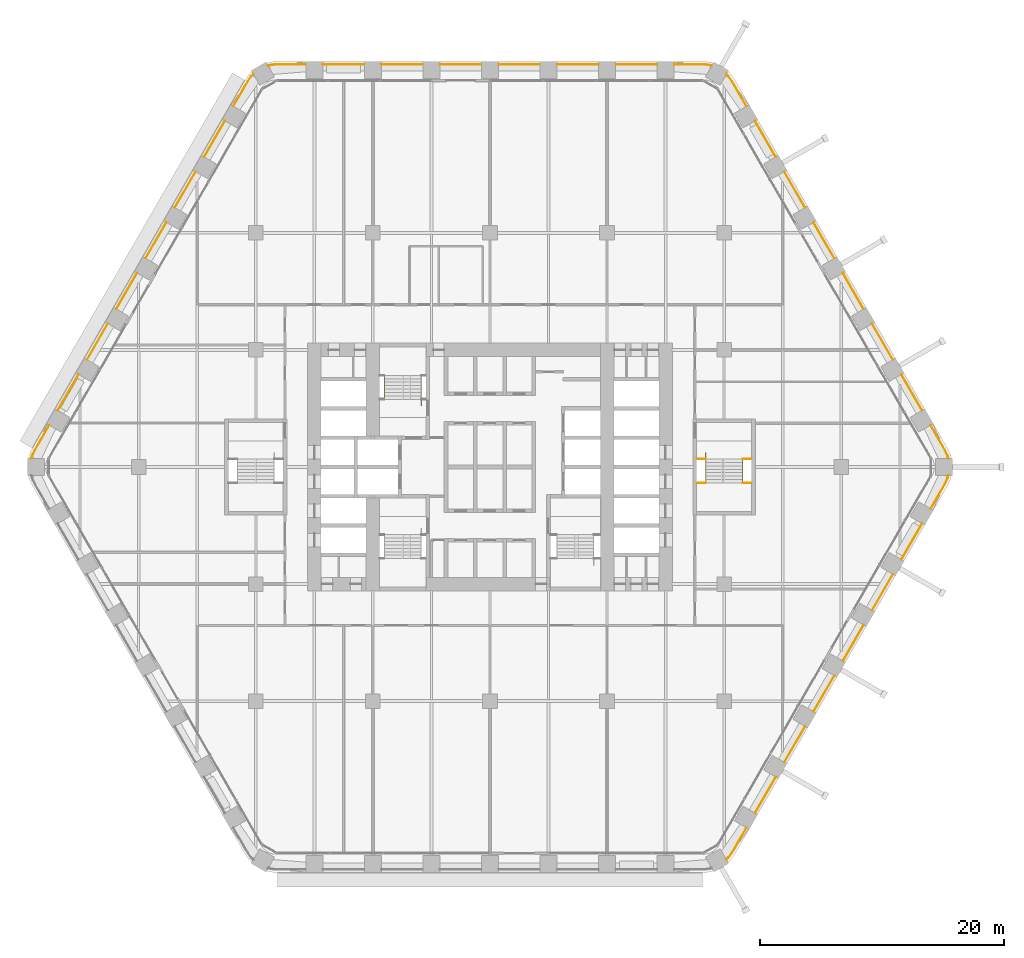
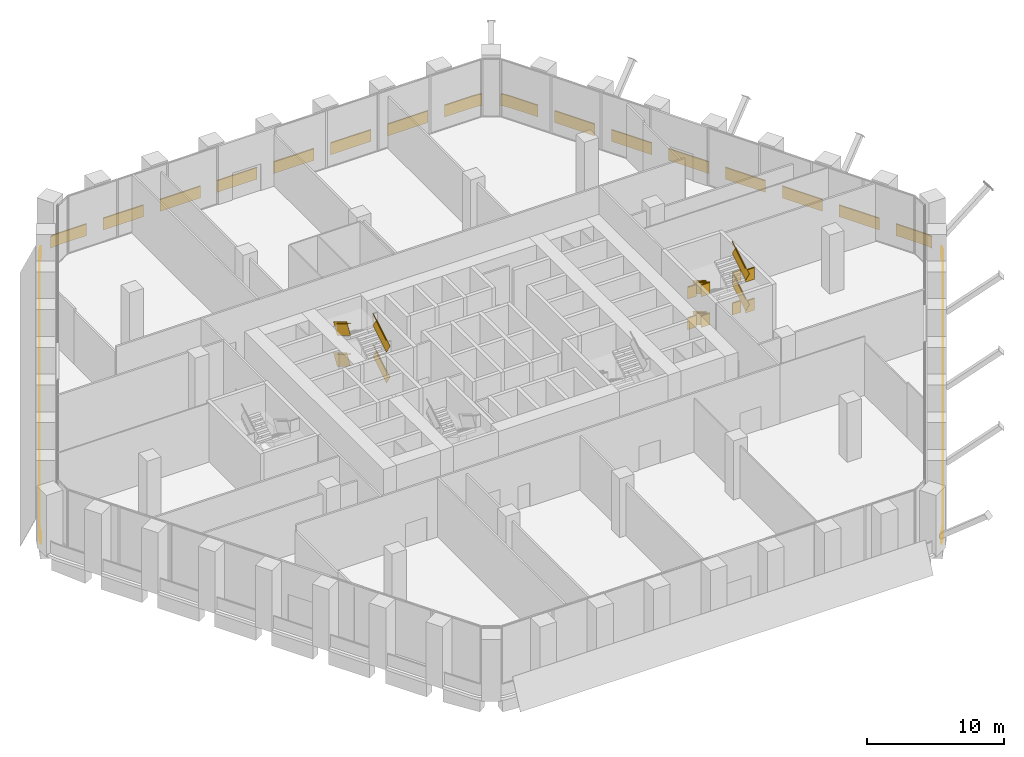
# One storey, part 29 of 29: 7 railings.
"""IFC4 building model written with IfcOpenShell, lengths in metres."""

from ifc_helpers import new_model, si_unit, direction, frame, frame_2d, origin, origin_2d, place, context, subcontext, project, spatial, rectangle, extrude, material, type_object, element, save


model = new_model("IFC4")

# Units and contexts
model_context = context("Model", 3, precision=1e-05, world=origin(), true_north=direction((0.0, 1.0)))
body_context = subcontext(model_context, "Body", "Model", "MODEL_VIEW")
ifc_project = project(units=[si_unit("LENGTHUNIT", "METRE"), si_unit("AREAUNIT", "SQUARE_METRE"), si_unit("VOLUMEUNIT", "CUBIC_METRE"), si_unit("PLANEANGLEUNIT", "RADIAN"), si_unit("MASSUNIT", "GRAM", prefix="KILO")], contexts=[model_context])

# Site, building, storey
site_placement = place(None, origin())
site = spatial("IfcSite", under=ifc_project, at=site_placement, CompositionType="ELEMENT")
building_placement = place(site_placement, origin())
building = spatial("IfcBuilding", under=site, at=building_placement, Name="Kolab Exchange Tower", CompositionType="ELEMENT")
storey_placement = place(building_placement, frame((0.0, 0.0, 55.39990234375)))
storey = spatial("IfcBuildingStorey", under=building, at=storey_placement, Name="L10", CompositionType="ELEMENT", Elevation=55.39990234375)

# Railings
ifc_material_1 = material(Name="Stainless steel 316", Category="steel")
railing_type_1 = type_object("IfcRailingType", Name="GUARD 1100", PredefinedType="GUARDRAIL", material=ifc_material_1)
railing_1_placement = place(storey_placement, frame((-5.639892578125, 5.550048828125, 0.172119140625)))
element("IfcRailing", 1, at=railing_1_placement, inside=storey, type_object=railing_type_1, Name="Handrail guard ST1", PredefinedType="GUARDRAIL", context=body_context, shape_type="SweptSolid", body=[
    extrude(rectangle(XDim=0.05, YDim=0.05, at=origin_2d()), frame((0.0, 0.0, 1.0751953125), z_axis=(0.0, 0.852288308005, 0.523072308613), x_axis=(-1.0, 0.0, 0.0)), (0.0, 0.0, 1.0), 2.299560546875),
    extrude(rectangle(XDim=0.012, YDim=1.05009765625, at=frame_2d((0.0, 0.525146484375))), frame((0.0, 0.0, 0.0), z_axis=(0.0, 0.852288308005, 0.523072308613), x_axis=(-1.0, 0.0, 0.0)), (0.0, 0.0, 1.0), 2.299560546875),
    extrude(rectangle(XDim=0.05, YDim=0.05, at=origin_2d()), frame((-3.02001953125, 1.9599609375, 2.4501953125), z_axis=(0.0, -0.852288308005, 0.523072308613), x_axis=(1.0, 0.0, 0.0)), (0.0, 0.0, 1.0), 2.299560546875),
    extrude(rectangle(XDim=0.012, YDim=1.05009765625, at=frame_2d((0.0, 0.525146484375))), frame((-3.02001953125, 1.9599609375, 1.375), z_axis=(0.0, -0.852288308005, 0.523072308613), x_axis=(1.0, 0.0, 0.0)), (0.0, 0.0, 1.0), 2.299560546875),
    extrude(rectangle(XDim=0.05, YDim=0.05, at=origin_2d()), frame((0.0, 0.0, 3.8251953125), z_axis=(0.0, 0.852288308005, 0.523072308613), x_axis=(-1.0, 0.0, 0.0)), (0.0, 0.0, 1.0), 2.299560546875),
    extrude(rectangle(XDim=0.012, YDim=1.05009765625, at=frame_2d((0.0, 0.525146484375))), frame((0.0, 0.0, 2.75), z_axis=(0.0, 0.852288308005, 0.523072308613), x_axis=(-1.0, 0.0, 0.0)), (0.0, 0.0, 1.0), 2.299560546875),
    extrude(rectangle(XDim=0.05, YDim=0.05, at=origin_2d()), frame((-3.02001953125, 1.9599609375, 5.2001953125), z_axis=(0.0, -0.852288308005, 0.523072308613), x_axis=(1.0, 0.0, 0.0)), (0.0, 0.0, 1.0), 2.299560546875),
    extrude(rectangle(XDim=0.012, YDim=1.05009765625, at=frame_2d((0.0, 0.525146484375))), frame((-3.02001953125, 1.9599609375, 4.125), z_axis=(0.0, -0.852288308005, 0.523072308613), x_axis=(1.0, 0.0, 0.0)), (0.0, 0.0, 1.0), 2.299560546875),
])
railing_2_placement = place(storey_placement, frame((16.949951171875, 0.64990234375, 0.0)))
element("IfcRailing", 2, at=railing_2_placement, inside=storey, type_object=railing_type_1, Name="Guard ST4", PredefinedType="GUARDRAIL", context=body_context, shape_type="SweptSolid", body=[
    extrude(rectangle(XDim=0.05, YDim=0.05, at=origin_2d()), frame((0.0, 0.0, 1.0751953125), z_axis=(1.0, 0.0, 0.0), x_axis=(0.0, 1.0, 0.0)), (0.0, 0.0, 1.0), 0.739990234375),
    extrude(rectangle(XDim=0.012, YDim=1.05009765625, at=frame_2d((0.0, 0.525146484375))), frame((0.0, 0.0, 0.0), z_axis=(1.0, 0.0, 0.0), x_axis=(0.0, 1.0, 0.0)), (0.0, 0.0, 1.0), 0.739990234375),
    extrude(rectangle(XDim=0.05, YDim=0.05, at=origin_2d()), frame((3.760009765625, 0.0, 1.0751953125), z_axis=(1.0, 0.0, 0.0), x_axis=(0.0, 1.0, 0.0)), (0.0, 0.0, 1.0), 0.739990234375),
    extrude(rectangle(XDim=0.012, YDim=1.05009765625, at=frame_2d((0.0, 0.525146484375))), frame((3.760009765625, 0.0, 0.0), z_axis=(1.0, 0.0, 0.0), x_axis=(0.0, 1.0, 0.0)), (0.0, 0.0, 1.0), 0.739990234375),
    extrude(rectangle(XDim=0.05, YDim=0.05, at=origin_2d()), frame((0.0, -1.9599609375, 2.4501953125), z_axis=(1.0, 0.0, 0.0), x_axis=(0.0, 1.0, 0.0)), (0.0, 0.0, 1.0), 0.739990234375),
    extrude(rectangle(XDim=0.012, YDim=1.05009765625, at=frame_2d((0.0, 0.525146484375))), frame((0.0, -1.9599609375, 1.375), z_axis=(1.0, 0.0, 0.0), x_axis=(0.0, 1.0, 0.0)), (0.0, 0.0, 1.0), 0.739990234375),
    extrude(rectangle(XDim=0.05, YDim=0.05, at=origin_2d()), frame((3.760009765625, -1.9599609375, 2.4501953125), z_axis=(1.0, 0.0, 0.0), x_axis=(0.0, 1.0, 0.0)), (0.0, 0.0, 1.0), 0.739990234375),
    extrude(rectangle(XDim=0.012, YDim=1.05009765625, at=frame_2d((0.0, 0.525146484375))), frame((3.760009765625, -1.9599609375, 1.375), z_axis=(1.0, 0.0, 0.0), x_axis=(0.0, 1.0, 0.0)), (0.0, 0.0, 1.0), 0.739990234375),
    extrude(rectangle(XDim=0.05, YDim=0.05, at=origin_2d()), frame((0.0, 0.0, 3.8251953125), z_axis=(1.0, 0.0, 0.0), x_axis=(0.0, 1.0, 0.0)), (0.0, 0.0, 1.0), 0.739990234375),
    extrude(rectangle(XDim=0.012, YDim=1.05009765625, at=frame_2d((0.0, 0.525146484375))), frame((0.0, 0.0, 2.75), z_axis=(1.0, 0.0, 0.0), x_axis=(0.0, 1.0, 0.0)), (0.0, 0.0, 1.0), 0.739990234375),
    extrude(rectangle(XDim=0.05, YDim=0.05, at=origin_2d()), frame((3.760009765625, 0.0, 3.8251953125), z_axis=(1.0, 0.0, 0.0), x_axis=(0.0, 1.0, 0.0)), (0.0, 0.0, 1.0), 0.739990234375),
    extrude(rectangle(XDim=0.012, YDim=1.05009765625, at=frame_2d((0.0, 0.525146484375))), frame((3.760009765625, 0.0, 2.75), z_axis=(1.0, 0.0, 0.0), x_axis=(0.0, 1.0, 0.0)), (0.0, 0.0, 1.0), 0.739990234375),
    extrude(rectangle(XDim=0.05, YDim=0.05, at=origin_2d()), frame((0.0, -1.9599609375, 5.2001953125), z_axis=(1.0, 0.0, 0.0), x_axis=(0.0, 1.0, 0.0)), (0.0, 0.0, 1.0), 0.739990234375),
    extrude(rectangle(XDim=0.012, YDim=1.05009765625, at=frame_2d((0.0, 0.525146484375))), frame((0.0, -1.9599609375, 4.125), z_axis=(1.0, 0.0, 0.0), x_axis=(0.0, 1.0, 0.0)), (0.0, 0.0, 1.0), 0.739990234375),
    extrude(rectangle(XDim=0.05, YDim=0.05, at=origin_2d()), frame((3.760009765625, -1.9599609375, 5.2001953125), z_axis=(1.0, 0.0, 0.0), x_axis=(0.0, 1.0, 0.0)), (0.0, 0.0, 1.0), 0.739990234375),
    extrude(rectangle(XDim=0.012, YDim=1.05009765625, at=frame_2d((0.0, 0.525146484375))), frame((3.760009765625, -1.9599609375, 4.125), z_axis=(1.0, 0.0, 0.0), x_axis=(0.0, 1.0, 0.0)), (0.0, 0.0, 1.0), 0.739990234375),
])
railing_3_placement = place(storey_placement, frame((17.68994140625, 0.64990234375, 0.172119140625)))
element("IfcRailing", 3, at=railing_3_placement, inside=storey, type_object=railing_type_1, Name="Handrail guard ST4", PredefinedType="GUARDRAIL", context=body_context, shape_type="SweptSolid", body=[
    extrude(rectangle(XDim=0.05, YDim=0.05, at=origin_2d()), frame((0.0, 0.0, 1.0751953125), z_axis=(0.0, -0.852288308005, 0.523072308613), x_axis=(1.0, 0.0, 0.0)), (0.0, 0.0, 1.0), 2.299560546875),
    extrude(rectangle(XDim=0.012, YDim=1.05009765625, at=frame_2d((0.0, 0.525146484375))), frame((0.0, 0.0, 0.0), z_axis=(0.0, -0.852288308005, 0.523072308613), x_axis=(1.0, 0.0, 0.0)), (0.0, 0.0, 1.0), 2.299560546875),
    extrude(rectangle(XDim=0.05, YDim=0.05, at=origin_2d()), frame((3.02001953125, -1.9599609375, 2.4501953125), z_axis=(0.0, 0.852288308005, 0.523072308613), x_axis=(-1.0, 0.0, 0.0)), (0.0, 0.0, 1.0), 2.299560546875),
    extrude(rectangle(XDim=0.012, YDim=1.05009765625, at=frame_2d((0.0, 0.525146484375))), frame((3.02001953125, -1.9599609375, 1.375), z_axis=(0.0, 0.852288308005, 0.523072308613), x_axis=(-1.0, 0.0, 0.0)), (0.0, 0.0, 1.0), 2.299560546875),
    extrude(rectangle(XDim=0.05, YDim=0.05, at=origin_2d()), frame((0.0, 0.0, 3.8251953125), z_axis=(0.0, -0.852288308005, 0.523072308613), x_axis=(1.0, 0.0, 0.0)), (0.0, 0.0, 1.0), 2.299560546875),
    extrude(rectangle(XDim=0.012, YDim=1.05009765625, at=frame_2d((0.0, 0.525146484375))), frame((0.0, 0.0, 2.75), z_axis=(0.0, -0.852288308005, 0.523072308613), x_axis=(1.0, 0.0, 0.0)), (0.0, 0.0, 1.0), 2.299560546875),
    extrude(rectangle(XDim=0.05, YDim=0.05, at=origin_2d()), frame((3.02001953125, -1.9599609375, 5.2001953125), z_axis=(0.0, 0.852288308005, 0.523072308613), x_axis=(-1.0, 0.0, 0.0)), (0.0, 0.0, 1.0), 2.299560546875),
    extrude(rectangle(XDim=0.012, YDim=1.05009765625, at=frame_2d((0.0, 0.525146484375))), frame((3.02001953125, -1.9599609375, 4.125), z_axis=(0.0, 0.852288308005, 0.523072308613), x_axis=(-1.0, 0.0, 0.0)), (0.0, 0.0, 1.0), 2.299560546875),
])
ifc_material_2 = material(Name="Steel S235", Category="steel")
railing_type_2 = type_object("IfcRailingType", Name="GUARD 1100 GLASS BALUSTRADE AND STEEL TOP RAIL", PredefinedType="GUARDRAIL", material=ifc_material_2)
railing_4_placement = place(storey_placement, frame((18.1953125, 32.896728515625, 0.0)))
element("IfcRailing", 4, at=railing_4_placement, inside=storey, type_object=railing_type_2, Name="Guard", PredefinedType="GUARDRAIL", context=body_context, shape_type="SweptSolid", body=[
    extrude(rectangle(XDim=0.05, YDim=0.05, at=origin_2d()), frame((0.0, 0.0, 1.0751953125), z_axis=(-0.965952265455, 0.258720352624, 0.0), x_axis=(-0.258720352624, -0.965952265455, 0.0)), (0.0, 0.0, 1.0), 0.258544921875),
    extrude(rectangle(XDim=0.012, YDim=1.05009765625, at=frame_2d((0.0, 0.525146484375))), frame((0.0, 0.0, 0.0), z_axis=(-0.965952265455, 0.258720352624, 0.0), x_axis=(-0.258720352624, -0.965952265455, 0.0)), (0.0, 0.0, 1.0), 0.258544921875),
    extrude(rectangle(XDim=0.05, YDim=0.05, at=origin_2d()), frame((-0.249755859375, 0.06689453125, 1.0751953125), z_axis=(-0.996200348447, 0.087091134757, 0.0), x_axis=(-0.087091134757, -0.996200348447, 0.0)), (0.0, 0.0, 1.0), 0.479248046875),
    extrude(rectangle(XDim=0.012, YDim=1.05009765625, at=frame_2d((0.0, 0.525146484375))), frame((-0.249755859375, 0.06689453125, 0.0), z_axis=(-0.996200348447, 0.087091134757, 0.0), x_axis=(-0.087091134757, -0.996200348447, 0.0)), (0.0, 0.0, 1.0), 0.479248046875),
    extrude(rectangle(XDim=0.05, YDim=0.05, at=origin_2d()), frame((-0.727294921875, 0.108642578125, 1.0751953125), z_axis=(-1.0, 0.0, 0.0), x_axis=(0.0, -1.0, 0.0)), (0.0, 0.0, 1.0), 2.367919921875),
    extrude(rectangle(XDim=0.012, YDim=1.05009765625, at=frame_2d((0.0, 0.525146484375))), frame((-0.727294921875, 0.108642578125, 0.0), z_axis=(-1.0, 0.0, 0.0), x_axis=(0.0, -1.0, 0.0)), (0.0, 0.0, 1.0), 2.367919921875),
    extrude(rectangle(XDim=0.05, YDim=0.05, at=origin_2d()), frame((-4.495361328125, 0.108642578125, 1.0751953125), z_axis=(-1.0, 0.0, 0.0), x_axis=(0.0, -1.0, 0.0)), (0.0, 0.0, 1.0), 3.39990234375),
    extrude(rectangle(XDim=0.012, YDim=1.05009765625, at=frame_2d((0.0, 0.525146484375))), frame((-4.495361328125, 0.108642578125, 0.0), z_axis=(-1.0, 0.0, 0.0), x_axis=(0.0, -1.0, 0.0)), (0.0, 0.0, 1.0), 3.39990234375),
    extrude(rectangle(XDim=0.05, YDim=0.05, at=origin_2d()), frame((-9.29541015625, 0.108642578125, 1.0751953125), z_axis=(-1.0, 0.0, 0.0), x_axis=(0.0, -1.0, 0.0)), (0.0, 0.0, 1.0), 3.39990234375),
    extrude(rectangle(XDim=0.012, YDim=1.05009765625, at=frame_2d((0.0, 0.525146484375))), frame((-9.29541015625, 0.108642578125, 0.0), z_axis=(-1.0, 0.0, 0.0), x_axis=(0.0, -1.0, 0.0)), (0.0, 0.0, 1.0), 3.39990234375),
    extrude(rectangle(XDim=0.05, YDim=0.05, at=origin_2d()), frame((-14.09521484375, 0.108642578125, 1.0751953125), z_axis=(-1.0, 0.0, 0.0), x_axis=(0.0, -1.0, 0.0)), (0.0, 0.0, 1.0), 3.400146484375),
    extrude(rectangle(XDim=0.012, YDim=1.05009765625, at=frame_2d((0.0, 0.525146484375))), frame((-14.09521484375, 0.108642578125, 0.0), z_axis=(-1.0, 0.0, 0.0), x_axis=(0.0, -1.0, 0.0)), (0.0, 0.0, 1.0), 3.400146484375),
    extrude(rectangle(XDim=0.05, YDim=0.05, at=origin_2d()), frame((-18.895263671875, 0.108642578125, 1.0751953125), z_axis=(-1.0, 0.0, 0.0), x_axis=(0.0, -1.0, 0.0)), (0.0, 0.0, 1.0), 3.400146484375),
    extrude(rectangle(XDim=0.012, YDim=1.05009765625, at=frame_2d((0.0, 0.525146484375))), frame((-18.895263671875, 0.108642578125, 0.0), z_axis=(-1.0, 0.0, 0.0), x_axis=(0.0, -1.0, 0.0)), (0.0, 0.0, 1.0), 3.400146484375),
    extrude(rectangle(XDim=0.05, YDim=0.05, at=origin_2d()), frame((-23.6953125, 0.108642578125, 1.0751953125), z_axis=(-1.0, 0.0, 0.0), x_axis=(0.0, -1.0, 0.0)), (0.0, 0.0, 1.0), 3.39990234375),
    extrude(rectangle(XDim=0.012, YDim=1.05009765625, at=frame_2d((0.0, 0.525146484375))), frame((-23.6953125, 0.108642578125, 0.0), z_axis=(-1.0, 0.0, 0.0), x_axis=(0.0, -1.0, 0.0)), (0.0, 0.0, 1.0), 3.39990234375),
    extrude(rectangle(XDim=0.05, YDim=0.05, at=origin_2d()), frame((-28.495361328125, 0.108642578125, 1.0751953125), z_axis=(-1.0, 0.0, 0.0), x_axis=(0.0, -1.0, 0.0)), (0.0, 0.0, 1.0), 3.39990234375),
    extrude(rectangle(XDim=0.012, YDim=1.05009765625, at=frame_2d((0.0, 0.525146484375))), frame((-28.495361328125, 0.108642578125, 0.0), z_axis=(-1.0, 0.0, 0.0), x_axis=(0.0, -1.0, 0.0)), (0.0, 0.0, 1.0), 3.39990234375),
    extrude(rectangle(XDim=0.05, YDim=0.05, at=origin_2d()), frame((-33.29541015625, 0.108642578125, 1.0751953125), z_axis=(-1.0, 0.0, 0.0), x_axis=(0.0, -1.0, 0.0)), (0.0, 0.0, 1.0), 2.367919921875),
    extrude(rectangle(XDim=0.012, YDim=1.05009765625, at=frame_2d((0.0, 0.525146484375))), frame((-33.29541015625, 0.108642578125, 0.0), z_axis=(-1.0, 0.0, 0.0), x_axis=(0.0, -1.0, 0.0)), (0.0, 0.0, 1.0), 2.367919921875),
    extrude(rectangle(XDim=0.05, YDim=0.05, at=origin_2d()), frame((-35.663330078125, 0.108642578125, 1.0751953125), z_axis=(-0.996200348447, -0.087091134757, 0.0), x_axis=(0.087091134757, -0.996200348447, 0.0)), (0.0, 0.0, 1.0), 0.479248046875),
    extrude(rectangle(XDim=0.012, YDim=1.05009765625, at=frame_2d((0.0, 0.525146484375))), frame((-35.663330078125, 0.108642578125, 0.0), z_axis=(-0.996200348447, -0.087091134757, 0.0), x_axis=(0.087091134757, -0.996200348447, 0.0)), (0.0, 0.0, 1.0), 0.479248046875),
    extrude(rectangle(XDim=0.05, YDim=0.05, at=origin_2d()), frame((-36.140869140625, 0.06689453125, 1.0751953125), z_axis=(-0.965952265455, -0.258720352624, 0.0), x_axis=(0.258720352624, -0.965952265455, 0.0)), (0.0, 0.0, 1.0), 0.258544921875),
    extrude(rectangle(XDim=0.012, YDim=1.05009765625, at=frame_2d((0.0, 0.525146484375))), frame((-36.140869140625, 0.06689453125, 0.0), z_axis=(-0.965952265455, -0.258720352624, 0.0), x_axis=(0.258720352624, -0.965952265455, 0.0)), (0.0, 0.0, 1.0), 0.258544921875),
])
railing_5_placement = place(storey_placement, frame((37.5869140625, 0.690673828125, 0.0)))
element("IfcRailing", 5, at=railing_5_placement, inside=storey, type_object=railing_type_2, Name="Guard", PredefinedType="GUARDRAIL", context=body_context, shape_type="SweptSolid", body=[
    extrude(rectangle(XDim=0.05, YDim=0.05, at=origin_2d()), frame((0.0, 0.0, 1.0751953125), z_axis=(-0.258484584798, 0.966015382601, 0.0), x_axis=(-0.966015382601, -0.258484584798, 0.0)), (0.0, 0.0, 1.0), 0.2587890625),
    extrude(rectangle(XDim=0.012, YDim=1.05009765625, at=frame_2d((0.0, 0.525146484375))), frame((0.0, 0.0, 0.0), z_axis=(-0.258484584798, 0.966015382601, 0.0), x_axis=(-0.966015382601, -0.258484584798, 0.0)), (0.0, 0.0, 1.0), 0.2587890625),
    extrude(rectangle(XDim=0.05, YDim=0.05, at=origin_2d()), frame((-0.06689453125, 0.25, 1.0751953125), z_axis=(-0.422801802984, 0.906222177721, 0.0), x_axis=(-0.906222177721, -0.422801802984, 0.0)), (0.0, 0.0, 1.0), 0.479248046875),
    extrude(rectangle(XDim=0.012, YDim=1.05009765625, at=frame_2d((0.0, 0.525146484375))), frame((-0.06689453125, 0.25, 0.0), z_axis=(-0.422801802984, 0.906222177721, 0.0), x_axis=(-0.906222177721, -0.422801802984, 0.0)), (0.0, 0.0, 1.0), 0.479248046875),
    extrude(rectangle(XDim=0.05, YDim=0.05, at=origin_2d()), frame((-0.26953125, 0.684326171875, 1.0751953125), z_axis=(-0.499942602326, 0.866058539811, 0.0), x_axis=(-0.866058539811, -0.499942602326, 0.0)), (0.0, 0.0, 1.0), 2.367919921875),
    extrude(rectangle(XDim=0.012, YDim=1.05009765625, at=frame_2d((0.0, 0.525146484375))), frame((-0.26953125, 0.684326171875, 0.0), z_axis=(-0.499942602326, 0.866058539811, 0.0), x_axis=(-0.866058539811, -0.499942602326, 0.0)), (0.0, 0.0, 1.0), 2.367919921875),
    extrude(rectangle(XDim=0.05, YDim=0.05, at=origin_2d()), frame((-2.1533203125, 3.947509765625, 1.0751953125), z_axis=(-0.500062241894, 0.865989465428, 0.0), x_axis=(-0.865989465428, -0.500062241894, 0.0)), (0.0, 0.0, 1.0), 3.39990234375),
    extrude(rectangle(XDim=0.012, YDim=1.05009765625, at=frame_2d((0.0, 0.525146484375))), frame((-2.1533203125, 3.947509765625, 0.0), z_axis=(-0.500062241894, 0.865989465428, 0.0), x_axis=(-0.865989465428, -0.500062241894, 0.0)), (0.0, 0.0, 1.0), 3.39990234375),
    extrude(rectangle(XDim=0.05, YDim=0.05, at=origin_2d()), frame((-4.553466796875, 8.1044921875, 1.0751953125), z_axis=(-0.500008388397, 0.866020560687, 0.0), x_axis=(-0.866020560687, -0.500008388397, 0.0)), (0.0, 0.0, 1.0), 3.39990234375),
    extrude(rectangle(XDim=0.012, YDim=1.05009765625, at=frame_2d((0.0, 0.525146484375))), frame((-4.553466796875, 8.1044921875, 0.0), z_axis=(-0.500008388397, 0.866020560687, 0.0), x_axis=(-0.866020560687, -0.500008388397, 0.0)), (0.0, 0.0, 1.0), 3.39990234375),
    extrude(rectangle(XDim=0.05, YDim=0.05, at=origin_2d()), frame((-6.953369140625, 12.26123046875, 1.0751953125), z_axis=(-0.499977295307, 0.866038511948, 0.0), x_axis=(-0.866038511948, -0.499977295307, 0.0)), (0.0, 0.0, 1.0), 3.400146484375),
    extrude(rectangle(XDim=0.012, YDim=1.05009765625, at=frame_2d((0.0, 0.525146484375))), frame((-6.953369140625, 12.26123046875, 0.0), z_axis=(-0.499977295307, 0.866038511948, 0.0), x_axis=(-0.866038511948, -0.499977295307, 0.0)), (0.0, 0.0, 1.0), 3.400146484375),
    extrude(rectangle(XDim=0.05, YDim=0.05, at=origin_2d()), frame((-9.353515625, 16.418212890625, 1.0751953125), z_axis=(-0.499977295307, 0.866038511948, 0.0), x_axis=(-0.866038511948, -0.499977295307, 0.0)), (0.0, 0.0, 1.0), 3.400146484375),
    extrude(rectangle(XDim=0.012, YDim=1.05009765625, at=frame_2d((0.0, 0.525146484375))), frame((-9.353515625, 16.418212890625, 0.0), z_axis=(-0.499977295307, 0.866038511948, 0.0), x_axis=(-0.866038511948, -0.499977295307, 0.0)), (0.0, 0.0, 1.0), 3.400146484375),
    extrude(rectangle(XDim=0.05, YDim=0.05, at=origin_2d()), frame((-11.75341796875, 20.5751953125, 1.0751953125), z_axis=(-0.500008388397, 0.866020560687, 0.0), x_axis=(-0.866020560687, -0.500008388397, 0.0)), (0.0, 0.0, 1.0), 3.39990234375),
    extrude(rectangle(XDim=0.012, YDim=1.05009765625, at=frame_2d((0.0, 0.525146484375))), frame((-11.75341796875, 20.5751953125, 0.0), z_axis=(-0.500008388397, 0.866020560687, 0.0), x_axis=(-0.866020560687, -0.500008388397, 0.0)), (0.0, 0.0, 1.0), 3.39990234375),
    extrude(rectangle(XDim=0.05, YDim=0.05, at=origin_2d()), frame((-14.1533203125, 24.732177734375, 1.0751953125), z_axis=(-0.500062241894, 0.865989465428, 0.0), x_axis=(-0.865989465428, -0.500062241894, 0.0)), (0.0, 0.0, 1.0), 3.39990234375),
    extrude(rectangle(XDim=0.012, YDim=1.05009765625, at=frame_2d((0.0, 0.525146484375))), frame((-14.1533203125, 24.732177734375, 0.0), z_axis=(-0.500062241894, 0.865989465428, 0.0), x_axis=(-0.865989465428, -0.500062241894, 0.0)), (0.0, 0.0, 1.0), 3.39990234375),
    extrude(rectangle(XDim=0.05, YDim=0.05, at=origin_2d()), frame((-16.553466796875, 28.888916015625, 1.0751953125), z_axis=(-0.499942602326, 0.866058539811, 0.0), x_axis=(-0.866058539811, -0.499942602326, 0.0)), (0.0, 0.0, 1.0), 2.367919921875),
    extrude(rectangle(XDim=0.012, YDim=1.05009765625, at=frame_2d((0.0, 0.525146484375))), frame((-16.553466796875, 28.888916015625, 0.0), z_axis=(-0.499942602326, 0.866058539811, 0.0), x_axis=(-0.866058539811, -0.499942602326, 0.0)), (0.0, 0.0, 1.0), 2.367919921875),
    extrude(rectangle(XDim=0.05, YDim=0.05, at=origin_2d()), frame((-17.7373046875, 30.939697265625, 1.0751953125), z_axis=(-0.573940749815, 0.818896828485, 0.0), x_axis=(-0.818896828485, -0.573940749815, 0.0)), (0.0, 0.0, 1.0), 0.4794921875),
    extrude(rectangle(XDim=0.012, YDim=1.05009765625, at=frame_2d((0.0, 0.525146484375))), frame((-17.7373046875, 30.939697265625, 0.0), z_axis=(-0.573940749815, 0.818896828485, 0.0), x_axis=(-0.818896828485, -0.573940749815, 0.0)), (0.0, 0.0, 1.0), 0.4794921875),
    extrude(rectangle(XDim=0.05, YDim=0.05, at=origin_2d()), frame((-18.012451171875, 31.332275390625, 1.0751953125), z_axis=(-0.706634904947, 0.707578342737, 0.0), x_axis=(-0.707578342737, -0.706634904947, 0.0)), (0.0, 0.0, 1.0), 0.2587890625),
    extrude(rectangle(XDim=0.012, YDim=1.05009765625, at=frame_2d((0.0, 0.525146484375))), frame((-18.012451171875, 31.332275390625, 0.0), z_axis=(-0.706634904947, 0.707578342737, 0.0), x_axis=(-0.707578342737, -0.706634904947, 0.0)), (0.0, 0.0, 1.0), 0.2587890625),
])
railing_6_placement = place(storey_placement, frame((19.3916015625, -32.2060546875, 0.0)))
element("IfcRailing", 6, at=railing_6_placement, inside=storey, type_object=railing_type_2, Name="Guard", PredefinedType="GUARDRAIL", context=body_context, shape_type="SweptSolid", body=[
    extrude(rectangle(XDim=0.05, YDim=0.05, at=origin_2d()), frame((0.0, 0.0, 1.0751953125), z_axis=(0.706634904947, 0.707578342737, 0.0), x_axis=(-0.707578342737, 0.706634904947, 0.0)), (0.0, 0.0, 1.0), 0.2587890625),
    extrude(rectangle(XDim=0.012, YDim=1.05009765625, at=frame_2d((0.0, 0.525146484375))), frame((0.0, 0.0, 0.0), z_axis=(0.706634904947, 0.707578342737, 0.0), x_axis=(-0.707578342737, 0.706634904947, 0.0)), (0.0, 0.0, 1.0), 0.2587890625),
    extrude(rectangle(XDim=0.05, YDim=0.05, at=origin_2d()), frame((0.182861328125, 0.18310546875, 1.0751953125), z_axis=(0.573940749815, 0.818896828485, 0.0), x_axis=(-0.818896828485, 0.573940749815, 0.0)), (0.0, 0.0, 1.0), 0.4794921875),
    extrude(rectangle(XDim=0.012, YDim=1.05009765625, at=frame_2d((0.0, 0.525146484375))), frame((0.182861328125, 0.18310546875, 0.0), z_axis=(0.573940749815, 0.818896828485, 0.0), x_axis=(-0.818896828485, 0.573940749815, 0.0)), (0.0, 0.0, 1.0), 0.4794921875),
    extrude(rectangle(XDim=0.05, YDim=0.05, at=origin_2d()), frame((0.4580078125, 0.57568359375, 1.0751953125), z_axis=(0.499942602326, 0.866058539811, 0.0), x_axis=(-0.866058539811, 0.499942602326, 0.0)), (0.0, 0.0, 1.0), 2.367919921875),
    extrude(rectangle(XDim=0.012, YDim=1.05009765625, at=frame_2d((0.0, 0.525146484375))), frame((0.4580078125, 0.57568359375, 0.0), z_axis=(0.499942602326, 0.866058539811, 0.0), x_axis=(-0.866058539811, 0.499942602326, 0.0)), (0.0, 0.0, 1.0), 2.367919921875),
    extrude(rectangle(XDim=0.05, YDim=0.05, at=origin_2d()), frame((2.341796875, 3.8388671875, 1.0751953125), z_axis=(0.500062241894, 0.865989465428, 0.0), x_axis=(-0.865989465428, 0.500062241894, 0.0)), (0.0, 0.0, 1.0), 3.39990234375),
    extrude(rectangle(XDim=0.012, YDim=1.05009765625, at=frame_2d((0.0, 0.525146484375))), frame((2.341796875, 3.8388671875, 0.0), z_axis=(0.500062241894, 0.865989465428, 0.0), x_axis=(-0.865989465428, 0.500062241894, 0.0)), (0.0, 0.0, 1.0), 3.39990234375),
    extrude(rectangle(XDim=0.05, YDim=0.05, at=origin_2d()), frame((4.741943359375, 7.995849609375, 1.0751953125), z_axis=(0.500008388397, 0.866020560687, 0.0), x_axis=(-0.866020560687, 0.500008388397, 0.0)), (0.0, 0.0, 1.0), 3.39990234375),
    extrude(rectangle(XDim=0.012, YDim=1.05009765625, at=frame_2d((0.0, 0.525146484375))), frame((4.741943359375, 7.995849609375, 0.0), z_axis=(0.500008388397, 0.866020560687, 0.0), x_axis=(-0.866020560687, 0.500008388397, 0.0)), (0.0, 0.0, 1.0), 3.39990234375),
    extrude(rectangle(XDim=0.05, YDim=0.05, at=origin_2d()), frame((7.141845703125, 12.152587890625, 1.0751953125), z_axis=(0.499977295307, 0.866038511948, 0.0), x_axis=(-0.866038511948, 0.499977295307, 0.0)), (0.0, 0.0, 1.0), 3.400146484375),
    extrude(rectangle(XDim=0.012, YDim=1.05009765625, at=frame_2d((0.0, 0.525146484375))), frame((7.141845703125, 12.152587890625, 0.0), z_axis=(0.499977295307, 0.866038511948, 0.0), x_axis=(-0.866038511948, 0.499977295307, 0.0)), (0.0, 0.0, 1.0), 3.400146484375),
    extrude(rectangle(XDim=0.05, YDim=0.05, at=origin_2d()), frame((9.5419921875, 16.3095703125, 1.0751953125), z_axis=(0.499977295307, 0.866038511948, 0.0), x_axis=(-0.866038511948, 0.499977295307, 0.0)), (0.0, 0.0, 1.0), 3.400146484375),
    extrude(rectangle(XDim=0.012, YDim=1.05009765625, at=frame_2d((0.0, 0.525146484375))), frame((9.5419921875, 16.3095703125, 0.0), z_axis=(0.499977295307, 0.866038511948, 0.0), x_axis=(-0.866038511948, 0.499977295307, 0.0)), (0.0, 0.0, 1.0), 3.400146484375),
    extrude(rectangle(XDim=0.05, YDim=0.05, at=origin_2d()), frame((11.94189453125, 20.466552734375, 1.0751953125), z_axis=(0.500008388397, 0.866020560687, 0.0), x_axis=(-0.866020560687, 0.500008388397, 0.0)), (0.0, 0.0, 1.0), 3.39990234375),
    extrude(rectangle(XDim=0.012, YDim=1.05009765625, at=frame_2d((0.0, 0.525146484375))), frame((11.94189453125, 20.466552734375, 0.0), z_axis=(0.500008388397, 0.866020560687, 0.0), x_axis=(-0.866020560687, 0.500008388397, 0.0)), (0.0, 0.0, 1.0), 3.39990234375),
    extrude(rectangle(XDim=0.05, YDim=0.05, at=origin_2d()), frame((14.341796875, 24.62353515625, 1.0751953125), z_axis=(0.500062241894, 0.865989465428, 0.0), x_axis=(-0.865989465428, 0.500062241894, 0.0)), (0.0, 0.0, 1.0), 3.39990234375),
    extrude(rectangle(XDim=0.012, YDim=1.05009765625, at=frame_2d((0.0, 0.525146484375))), frame((14.341796875, 24.62353515625, 0.0), z_axis=(0.500062241894, 0.865989465428, 0.0), x_axis=(-0.865989465428, 0.500062241894, 0.0)), (0.0, 0.0, 1.0), 3.39990234375),
    extrude(rectangle(XDim=0.05, YDim=0.05, at=origin_2d()), frame((16.741943359375, 28.7802734375, 1.0751953125), z_axis=(0.499942602326, 0.866058539811, 0.0), x_axis=(-0.866058539811, 0.499942602326, 0.0)), (0.0, 0.0, 1.0), 2.367919921875),
    extrude(rectangle(XDim=0.012, YDim=1.05009765625, at=frame_2d((0.0, 0.525146484375))), frame((16.741943359375, 28.7802734375, 0.0), z_axis=(0.499942602326, 0.866058539811, 0.0), x_axis=(-0.866058539811, 0.499942602326, 0.0)), (0.0, 0.0, 1.0), 2.367919921875),
    extrude(rectangle(XDim=0.05, YDim=0.05, at=origin_2d()), frame((17.92578125, 30.8310546875, 1.0751953125), z_axis=(0.422801802984, 0.906222177721, 0.0), x_axis=(-0.906222177721, 0.422801802984, 0.0)), (0.0, 0.0, 1.0), 0.479248046875),
    extrude(rectangle(XDim=0.012, YDim=1.05009765625, at=frame_2d((0.0, 0.525146484375))), frame((17.92578125, 30.8310546875, 0.0), z_axis=(0.422801802984, 0.906222177721, 0.0), x_axis=(-0.906222177721, 0.422801802984, 0.0)), (0.0, 0.0, 1.0), 0.479248046875),
    extrude(rectangle(XDim=0.05, YDim=0.05, at=origin_2d()), frame((18.12841796875, 31.265380859375, 1.0751953125), z_axis=(0.258484584798, 0.966015382601, 0.0), x_axis=(-0.966015382601, 0.258484584798, 0.0)), (0.0, 0.0, 1.0), 0.2587890625),
    extrude(rectangle(XDim=0.012, YDim=1.05009765625, at=frame_2d((0.0, 0.525146484375))), frame((18.12841796875, 31.265380859375, 0.0), z_axis=(0.258484584798, 0.966015382601, 0.0), x_axis=(-0.966015382601, 0.258484584798, 0.0)), (0.0, 0.0, 1.0), 0.2587890625),
])
railing_7_placement = place(storey_placement, frame((-19.3916015625, 32.2060546875, 0.0)))
element("IfcRailing", 7, at=railing_7_placement, inside=storey, type_object=railing_type_2, Name="Guard", PredefinedType="GUARDRAIL", context=body_context, shape_type="SweptSolid", body=[
    extrude(rectangle(XDim=0.05, YDim=0.05, at=origin_2d()), frame((0.0, 0.0, 1.0751953125), z_axis=(-0.706634904947, -0.707578342737, 0.0), x_axis=(0.707578342737, -0.706634904947, 0.0)), (0.0, 0.0, 1.0), 0.2587890625),
    extrude(rectangle(XDim=0.012, YDim=1.05009765625, at=frame_2d((0.0, 0.525146484375))), frame((0.0, 0.0, 0.0), z_axis=(-0.706634904947, -0.707578342737, 0.0), x_axis=(0.707578342737, -0.706634904947, 0.0)), (0.0, 0.0, 1.0), 0.2587890625),
    extrude(rectangle(XDim=0.05, YDim=0.05, at=origin_2d()), frame((-0.182861328125, -0.18310546875, 1.0751953125), z_axis=(-0.573940749815, -0.818896828485, 0.0), x_axis=(0.818896828485, -0.573940749815, 0.0)), (0.0, 0.0, 1.0), 0.4794921875),
    extrude(rectangle(XDim=0.012, YDim=1.05009765625, at=frame_2d((0.0, 0.525146484375))), frame((-0.182861328125, -0.18310546875, 0.0), z_axis=(-0.573940749815, -0.818896828485, 0.0), x_axis=(0.818896828485, -0.573940749815, 0.0)), (0.0, 0.0, 1.0), 0.4794921875),
    extrude(rectangle(XDim=0.05, YDim=0.05, at=origin_2d()), frame((-0.4580078125, -0.57568359375, 1.0751953125), z_axis=(-0.499942602326, -0.866058539811, 0.0), x_axis=(0.866058539811, -0.499942602326, 0.0)), (0.0, 0.0, 1.0), 2.367919921875),
    extrude(rectangle(XDim=0.012, YDim=1.05009765625, at=frame_2d((0.0, 0.525146484375))), frame((-0.4580078125, -0.57568359375, 0.0), z_axis=(-0.499942602326, -0.866058539811, 0.0), x_axis=(0.866058539811, -0.499942602326, 0.0)), (0.0, 0.0, 1.0), 2.367919921875),
    extrude(rectangle(XDim=0.05, YDim=0.05, at=origin_2d()), frame((-2.341796875, -3.8388671875, 1.0751953125), z_axis=(-0.500062241894, -0.865989465428, 0.0), x_axis=(0.865989465428, -0.500062241894, 0.0)), (0.0, 0.0, 1.0), 3.39990234375),
    extrude(rectangle(XDim=0.012, YDim=1.05009765625, at=frame_2d((0.0, 0.525146484375))), frame((-2.341796875, -3.8388671875, 0.0), z_axis=(-0.500062241894, -0.865989465428, 0.0), x_axis=(0.865989465428, -0.500062241894, 0.0)), (0.0, 0.0, 1.0), 3.39990234375),
    extrude(rectangle(XDim=0.05, YDim=0.05, at=origin_2d()), frame((-4.741943359375, -7.995849609375, 1.0751953125), z_axis=(-0.500008388397, -0.866020560687, 0.0), x_axis=(0.866020560687, -0.500008388397, 0.0)), (0.0, 0.0, 1.0), 3.39990234375),
    extrude(rectangle(XDim=0.012, YDim=1.05009765625, at=frame_2d((0.0, 0.525146484375))), frame((-4.741943359375, -7.995849609375, 0.0), z_axis=(-0.500008388397, -0.866020560687, 0.0), x_axis=(0.866020560687, -0.500008388397, 0.0)), (0.0, 0.0, 1.0), 3.39990234375),
    extrude(rectangle(XDim=0.05, YDim=0.05, at=origin_2d()), frame((-7.141845703125, -12.152587890625, 1.0751953125), z_axis=(-0.499977295307, -0.866038511948, 0.0), x_axis=(0.866038511948, -0.499977295307, 0.0)), (0.0, 0.0, 1.0), 3.400146484375),
    extrude(rectangle(XDim=0.012, YDim=1.05009765625, at=frame_2d((0.0, 0.525146484375))), frame((-7.141845703125, -12.152587890625, 0.0), z_axis=(-0.499977295307, -0.866038511948, 0.0), x_axis=(0.866038511948, -0.499977295307, 0.0)), (0.0, 0.0, 1.0), 3.400146484375),
    extrude(rectangle(XDim=0.05, YDim=0.05, at=origin_2d()), frame((-9.5419921875, -16.3095703125, 1.0751953125), z_axis=(-0.499977295307, -0.866038511948, 0.0), x_axis=(0.866038511948, -0.499977295307, 0.0)), (0.0, 0.0, 1.0), 3.400146484375),
    extrude(rectangle(XDim=0.012, YDim=1.05009765625, at=frame_2d((0.0, 0.525146484375))), frame((-9.5419921875, -16.3095703125, 0.0), z_axis=(-0.499977295307, -0.866038511948, 0.0), x_axis=(0.866038511948, -0.499977295307, 0.0)), (0.0, 0.0, 1.0), 3.400146484375),
    extrude(rectangle(XDim=0.05, YDim=0.05, at=origin_2d()), frame((-11.94189453125, -20.466552734375, 1.0751953125), z_axis=(-0.500008388397, -0.866020560687, 0.0), x_axis=(0.866020560687, -0.500008388397, 0.0)), (0.0, 0.0, 1.0), 3.39990234375),
    extrude(rectangle(XDim=0.012, YDim=1.05009765625, at=frame_2d((0.0, 0.525146484375))), frame((-11.94189453125, -20.466552734375, 0.0), z_axis=(-0.500008388397, -0.866020560687, 0.0), x_axis=(0.866020560687, -0.500008388397, 0.0)), (0.0, 0.0, 1.0), 3.39990234375),
    extrude(rectangle(XDim=0.05, YDim=0.05, at=origin_2d()), frame((-14.341796875, -24.62353515625, 1.0751953125), z_axis=(-0.500062241894, -0.865989465428, 0.0), x_axis=(0.865989465428, -0.500062241894, 0.0)), (0.0, 0.0, 1.0), 3.39990234375),
    extrude(rectangle(XDim=0.012, YDim=1.05009765625, at=frame_2d((0.0, 0.525146484375))), frame((-14.341796875, -24.62353515625, 0.0), z_axis=(-0.500062241894, -0.865989465428, 0.0), x_axis=(0.865989465428, -0.500062241894, 0.0)), (0.0, 0.0, 1.0), 3.39990234375),
    extrude(rectangle(XDim=0.05, YDim=0.05, at=origin_2d()), frame((-16.741943359375, -28.7802734375, 1.0751953125), z_axis=(-0.499942602326, -0.866058539811, 0.0), x_axis=(0.866058539811, -0.499942602326, 0.0)), (0.0, 0.0, 1.0), 2.367919921875),
    extrude(rectangle(XDim=0.012, YDim=1.05009765625, at=frame_2d((0.0, 0.525146484375))), frame((-16.741943359375, -28.7802734375, 0.0), z_axis=(-0.499942602326, -0.866058539811, 0.0), x_axis=(0.866058539811, -0.499942602326, 0.0)), (0.0, 0.0, 1.0), 2.367919921875),
    extrude(rectangle(XDim=0.05, YDim=0.05, at=origin_2d()), frame((-17.92578125, -30.8310546875, 1.0751953125), z_axis=(-0.422801802984, -0.906222177721, 0.0), x_axis=(0.906222177721, -0.422801802984, 0.0)), (0.0, 0.0, 1.0), 0.479248046875),
    extrude(rectangle(XDim=0.012, YDim=1.05009765625, at=frame_2d((0.0, 0.525146484375))), frame((-17.92578125, -30.8310546875, 0.0), z_axis=(-0.422801802984, -0.906222177721, 0.0), x_axis=(0.906222177721, -0.422801802984, 0.0)), (0.0, 0.0, 1.0), 0.479248046875),
    extrude(rectangle(XDim=0.05, YDim=0.05, at=origin_2d()), frame((-18.12841796875, -31.265380859375, 1.0751953125), z_axis=(-0.258484584798, -0.966015382601, 0.0), x_axis=(0.966015382601, -0.258484584798, 0.0)), (0.0, 0.0, 1.0), 0.2587890625),
    extrude(rectangle(XDim=0.012, YDim=1.05009765625, at=frame_2d((0.0, 0.525146484375))), frame((-18.12841796875, -31.265380859375, 0.0), z_axis=(-0.258484584798, -0.966015382601, 0.0), x_axis=(0.966015382601, -0.258484584798, 0.0)), (0.0, 0.0, 1.0), 0.2587890625),
])

save(model, "model.ifc")
